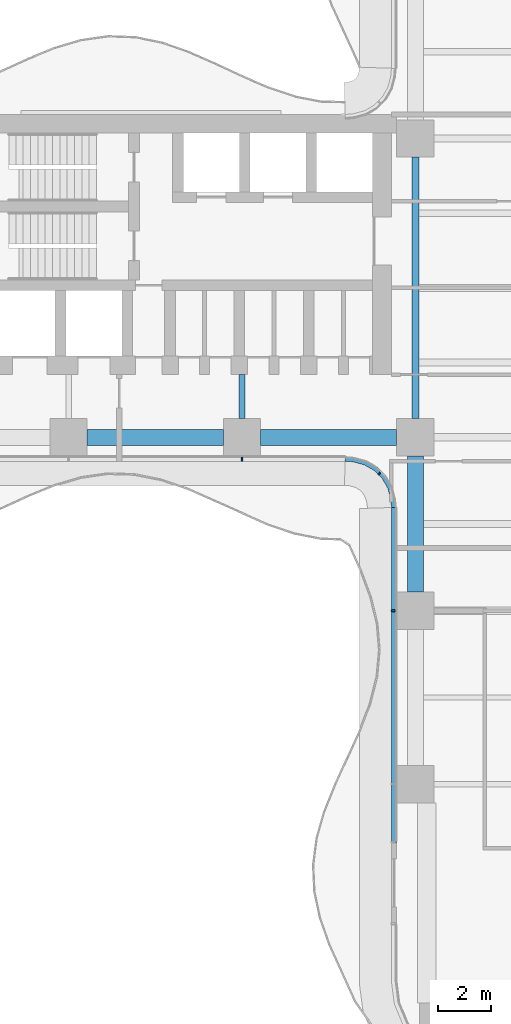
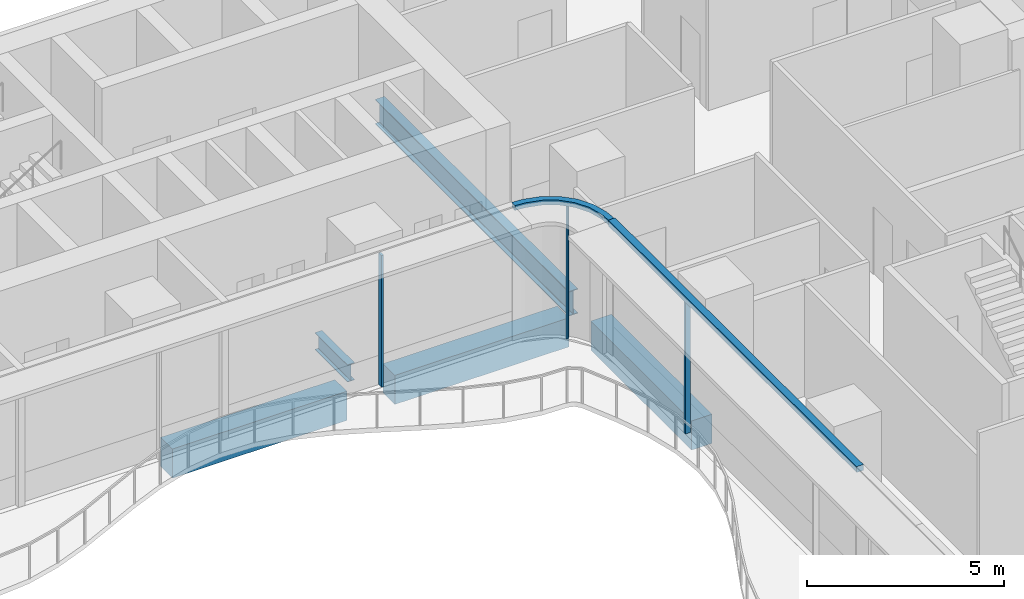
# One storey, part 4 of 22: 5 beams, 5 members, 3 elements without a shape of their own.
"""IFC4 building model written with IfcOpenShell, lengths in metres."""

from ifc_helpers import new_model, si_unit, direction, frame, origin, origin_2d, place, context, subcontext, project, spatial, polyline, rectangle, i_section, outline, extrude, source, transform, mapped, material, layer, layer_set, material_profile, profile_set, type_object, element, aggregate, save


model = new_model("IFC4")

# Units and contexts
model_context = context("Model", 3, precision=1e-05, world=origin(), true_north=direction((0.0, 1.0)))
body_context = subcontext(model_context, "Body", "Model", "MODEL_VIEW")
ifc_project = project(units=[si_unit("LENGTHUNIT", "METRE"), si_unit("AREAUNIT", "SQUARE_METRE"), si_unit("VOLUMEUNIT", "CUBIC_METRE"), si_unit("PLANEANGLEUNIT", "RADIAN"), si_unit("MASSUNIT", "GRAM", prefix="KILO")], contexts=[model_context])

# Site, building, storey
site_placement = place(None, origin())
site = spatial("IfcSite", under=ifc_project, at=site_placement, CompositionType="ELEMENT")
building_placement = place(site_placement, origin())
building = spatial("IfcBuilding", under=site, at=building_placement, Name="Trellis Farm Tower", CompositionType="ELEMENT")
storey_placement = place(building_placement, frame((0.0, 0.0, 52.0)))
storey = spatial("IfcBuildingStorey", under=building, at=storey_placement, Name="L10", CompositionType="ELEMENT", Elevation=52.0)

# Beams
ifc_material_1 = material(Name="Concrete C60/75", Category="concrete")
ifc_material_profile_1 = material_profile(ifc_material_1, rectangle(XDim=0.60009765625, YDim=0.89990234375, at=origin_2d()), Name="RC spandrel beam 600x900 C60/75")
ifc_profile_set_1 = profile_set([ifc_material_profile_1], Name="Concrete C60/75")
beam_type_1 = type_object("IfcBeamType", Name="RC spandrel beam 600x900 C60/75", PredefinedType="SPANDREL", material=ifc_profile_set_1)
shared_shape_1 = source(origin(), body_context, "Body", "SweptSolid", [
    extrude(rectangle(XDim=0.60009765625, YDim=0.89990234375, at=origin_2d()), origin(), (0.0, 0.0, 1.0), 5.099853515625),
])
for number, where, z_axis, x_axis, name in (
    (1, (-17.89990234375, -5.60009765625, -0.699951171875), (1.0, 0.0, 0.0), (0.0, 1.0, 0.0), "Girder"),
    (2, (-11.39990234375, -5.60009765625, -0.699951171875), (1.0, 0.0, 0.0), (0.0, 1.0, 0.0), "Girder"),
    (3, (-5.60009765625, -11.39990234375, -0.699951171875), (0.0, 1.0, 0.0), (-1.0, 0.0, 0.0), "Girder"),
):
    element("IfcBeam", number, at=place(storey_placement, frame(where, z_axis=z_axis, x_axis=x_axis)), inside=storey, type_object=beam_type_1, Name=name, PredefinedType="SPANDREL", context=body_context, shape_type="MappedRepresentation", body=[
        mapped(shared_shape_1, transform((0.0, 0.0, 0.0))),
    ])
ifc_material_2 = material(Name="Steel S355", Category="steel")
ifc_material_profile_2 = material_profile(ifc_material_2, i_section(OverallWidth=0.2666015625, OverallDepth=0.76220703125, WebThickness=0.014404296875, FlangeThickness=0.021484375, FilletRadius=0.0166015625, at=origin_2d()), Name="UB 762x267x173")
ifc_profile_set_2 = profile_set([ifc_material_profile_2], Name="Steel S355")
beam_type_2 = type_object("IfcBeamType", Name="UB 762x267x173", PredefinedType="BEAM", material=ifc_profile_set_2)
shared_shape_2 = source(origin(), body_context, "Body", "SweptSolid", [
    extrude(i_section(OverallWidth=0.2666015625, OverallDepth=0.76220703125, WebThickness=0.014404296875, FlangeThickness=0.021484375, FilletRadius=0.0166015625, at=origin_2d()), origin(), (0.0, 0.0, 1.0), 9.7998046875),
])
beam_1_placement = place(storey_placement, frame((-5.60009765625, -4.89990234375, -0.631103515625), z_axis=(0.0, 1.0, 0.0), x_axis=(-1.0, 0.0, 0.0)))
element("IfcBeam", 4, at=beam_1_placement, inside=storey, type_object=beam_type_2, Name="Girder", PredefinedType="BEAM", context=body_context, shape_type="MappedRepresentation", body=[
    mapped(shared_shape_2, transform((0.0, 0.0, 0.0))),
])
ifc_material_profile_3 = material_profile(ifc_material_2, i_section(OverallWidth=0.209228515625, OverallDepth=0.533203125, WebThickness=0.010009765625, FlangeThickness=0.015625, FilletRadius=0.0126953125, at=origin_2d()), Name="UB 533x210x92")
ifc_profile_set_3 = profile_set([ifc_material_profile_3], Name="Steel S355")
beam_type_3 = type_object("IfcBeamType", Name="UB 533x210x92", PredefinedType="BEAM", material=ifc_profile_set_3)
shared_shape_3 = source(origin(), body_context, "Body", "SweptSolid", [
    extrude(i_section(OverallWidth=0.209228515625, OverallDepth=0.533203125, WebThickness=0.010009765625, FlangeThickness=0.015625, FilletRadius=0.0126953125, at=origin_2d()), origin(), (0.0, 0.0, 1.0), 1.64990234375),
])
beam_2_placement = place(storey_placement, frame((-12.10009765625, -4.89990234375, -0.5166015625), z_axis=(0.0, 1.0, 0.0), x_axis=(-1.0, 0.0, 0.0)))
element("IfcBeam", 5, at=beam_2_placement, inside=storey, type_object=beam_type_3, Name="Girder", PredefinedType="BEAM", context=body_context, shape_type="MappedRepresentation", body=[
    mapped(shared_shape_3, transform((0.0, 0.0, 0.0))),
])

# Curtain wall, member
ifc_material_3 = material(Name="Aluminium and glass curtain wall", Category="aluminium")
ifc_layer_1 = layer(ifc_material_3, 0.18994140625)
ifc_layer_set_1 = layer_set([ifc_layer_1], Name="RIBBON CURTAIN WALL CW1")
curtain_wall_type_1 = type_object("IfcCurtainWallType", Name="RIBBON CURTAIN WALL CW1", PredefinedType="NOTDEFINED", material=ifc_layer_set_1)
placement = place(storey_placement, origin())
curtain_wall_1 = element("IfcCurtainWall", 6, at=placement, inside=storey, type_object=curtain_wall_type_1, Name="CW1 001", PredefinedType="NOTDEFINED")
ifc_material_4 = material(Name="Aluminium extrusion 6063-T6", Category="aluminium")
ifc_material_profile_4 = material_profile(ifc_material_4, rectangle(XDim=0.06005859375, YDim=0.14990234375, at=origin_2d()), Name="MULLION 60x150")
ifc_profile_set_4 = profile_set([ifc_material_profile_4], Name="Aluminium extrusion 6063-T6")
member_type_1 = type_object("IfcMemberType", Name="CW1 MULLION 60x150", PredefinedType="MULLION", material=ifc_profile_set_4)
shared_shape_4 = source(origin(), body_context, "Body", "SweptSolid", [
    extrude(rectangle(XDim=0.06005859375, YDim=0.14990234375, at=origin_2d()), origin(), (0.0, 0.0, 1.0), 4.070068359375),
])
member_1_placement = place(storey_placement, frame((-12.10009765625, -6.425048828125, 0.0), z_axis=(0.0, 0.0, 1.0), x_axis=(1.0, 0.0, 0.0)))
member_1 = element("IfcMember", 7, at=member_1_placement, type_object=member_type_1, Name="MU1 001-03", PredefinedType="MULLION", context=body_context, shape_type="MappedRepresentation", body=[
    mapped(shared_shape_4, transform((0.0, 0.0, 0.0))),
])
aggregate(curtain_wall_1, [member_1])

curtain_wall_2 = element("IfcCurtainWall", 8, at=placement, inside=storey, type_object=curtain_wall_type_1, Name="CW1 002", PredefinedType="NOTDEFINED")
member_2_placement = place(storey_placement, frame((-6.425048828125, -12.10009765625, 0.0), z_axis=(0.0, 0.0, 1.0), x_axis=(0.0, -1.0, 0.0)))
member_2 = element("IfcMember", 9, at=member_2_placement, type_object=member_type_1, Name="MU1 002-01", PredefinedType="MULLION", context=body_context, shape_type="MappedRepresentation", body=[
    mapped(shared_shape_4, transform((0.0, 0.0, 0.0))),
])

# Curtain wall, members
ifc_layer_2 = layer(ifc_material_3, 0.166015625)
ifc_layer_set_2 = layer_set([ifc_layer_2], Name="WINTER GARDEN CURTAIN WALL CW3")
curtain_wall_type_2 = type_object("IfcCurtainWallType", Name="WINTER GARDEN CURTAIN WALL CW3", PredefinedType="NOTDEFINED", material=ifc_layer_set_2)
curtain_wall_3 = element("IfcCurtainWall", 10, at=placement, inside=storey, type_object=curtain_wall_type_2, Name="CW3 001", PredefinedType="NOTDEFINED")
ifc_material_profile_5 = material_profile(ifc_material_4, rectangle(XDim=0.050048828125, YDim=0.1201171875, at=origin_2d()), Name="MULLION 50x120")
ifc_profile_set_5 = profile_set([ifc_material_profile_5], Name="Aluminium extrusion 6063-T6")
member_type_2 = type_object("IfcMemberType", Name="CW3 MULLION 50x120", PredefinedType="MULLION", material=ifc_profile_set_5)
shared_shape_5 = source(origin(), body_context, "Body", "SweptSolid", [
    extrude(rectangle(XDim=0.050048828125, YDim=0.1201171875, at=origin_2d()), origin(), (0.0, 0.0, 1.0), 4.10009765625),
])
member_3_placement = place(storey_placement, frame((-6.953125, -6.953125, 0.0), z_axis=(0.0, 0.0, 1.0), x_axis=(0.707106781187, -0.707106781187, 0.0)))
member_3 = element("IfcMember", 11, at=member_3_placement, type_object=member_type_2, Name="MU3 001-01", PredefinedType="MULLION", context=body_context, shape_type="MappedRepresentation", body=[
    mapped(shared_shape_5, transform((0.0, 0.0, 0.0))),
])
ifc_layer_3 = layer(ifc_material_4, 0.169921875)
ifc_layer_set_3 = layer_set([ifc_layer_3], Name="Aluminium extrusion 6063-T6")
member_type_3 = type_object("IfcMemberType", Name="CW3 TRANSOM 170x150", PredefinedType="USERDEFINED", material=ifc_layer_set_3)
shared_shape_6 = source(origin(), body_context, "Body", "SweptSolid", [
    extrude(outline(polyline([(-8.2314453125, -6.5), (-8.01953125, -6.513916015625), (-7.91552734375, -6.527587890625), (-7.508544921875, -6.63671875), (-7.144287109375, -6.846923828125), (-6.846923828125, -7.144287109375), (-6.63671875, -7.508544921875), (-6.527587890625, -7.91552734375), (-6.513916015625, -8.01953125), (-6.5, -8.2314453125), (-6.330078125, -8.225830078125), (-6.3447265625, -8.0029296875), (-6.360595703125, -7.88232421875), (-6.478271484375, -7.44287109375), (-6.7109375, -7.0400390625), (-7.0400390625, -6.7109375), (-7.44287109375, -6.478271484375), (-7.88232421875, -6.360595703125), (-8.0029296875, -6.3447265625), (-8.225830078125, -6.330078125), (-8.2314453125, -6.5)])), origin(), (0.0, 0.0, 1.0), 0.14990234375),
])
member_4_placement = place(storey_placement, frame((0.0, 0.0, 4.10009765625)))
member_4 = element("IfcMember", 12, at=member_4_placement, type_object=member_type_3, Name="TR3 001", ObjectType="TRANSOM", PredefinedType="USERDEFINED", context=body_context, shape_type="MappedRepresentation", body=[
    mapped(shared_shape_6, transform((0.0, 0.0, 0.0))),
])
aggregate(curtain_wall_3, [member_3, member_4])

# Member
ifc_layer_4 = layer(ifc_material_4, 0.199951171875)
ifc_layer_set_4 = layer_set([ifc_layer_4], Name="Aluminium extrusion 6063-T6")
member_type_4 = type_object("IfcMemberType", Name="CW1 TRANSOM 200x180", PredefinedType="USERDEFINED", material=ifc_layer_set_4)
shared_shape_7 = source(origin(), body_context, "Body", "SweptSolid", [
    extrude(outline(polyline([(-6.5, -8.2314453125), (-6.5, -20.800048828125), (-6.300048828125, -20.800048828125), (-6.300048828125, -8.224853515625), (-6.5, -8.2314453125)])), origin(), (0.0, 0.0, 1.0), 0.179931640625),
])
member_5_placement = place(storey_placement, frame((0.0, 0.0, 4.070068359375)))
member_5 = element("IfcMember", 13, at=member_5_placement, type_object=member_type_4, Name="TR1 002", ObjectType="TRANSOM", PredefinedType="USERDEFINED", context=body_context, shape_type="MappedRepresentation", body=[
    mapped(shared_shape_7, transform((0.0, 0.0, 0.0))),
])

aggregate(curtain_wall_2, [member_2, member_5])

save(model, "model.ifc")
